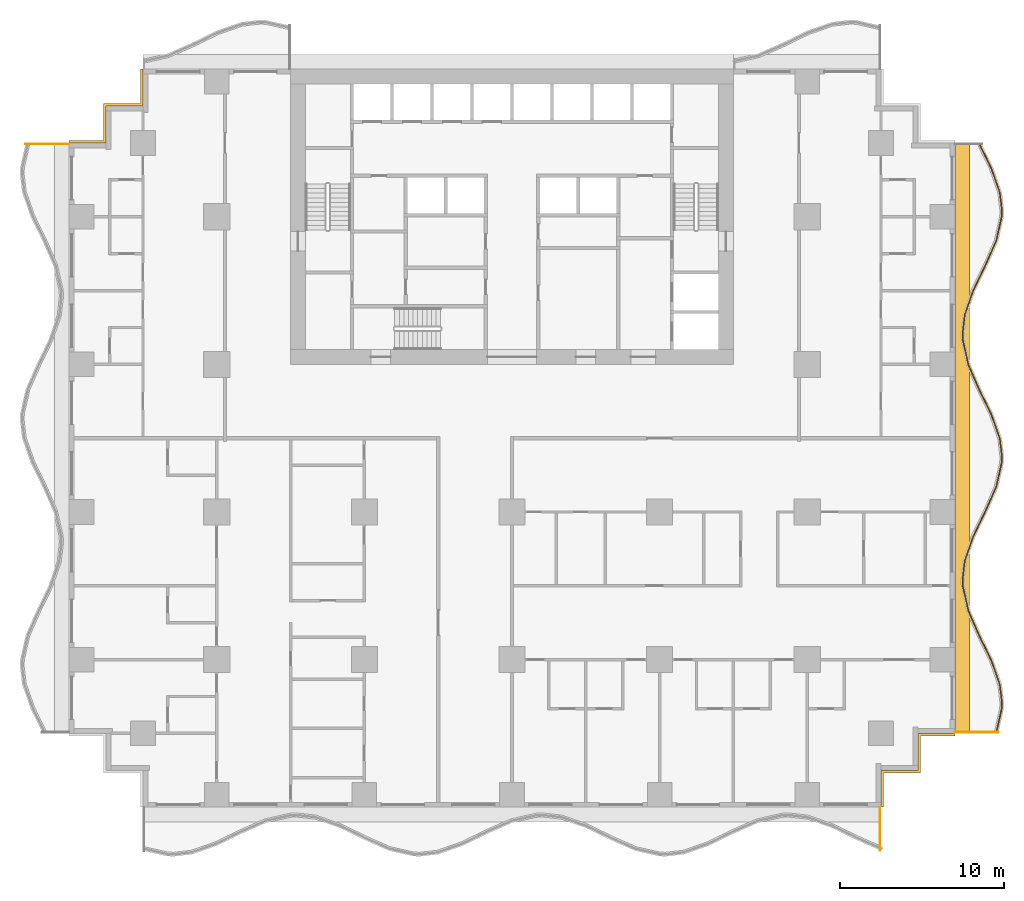
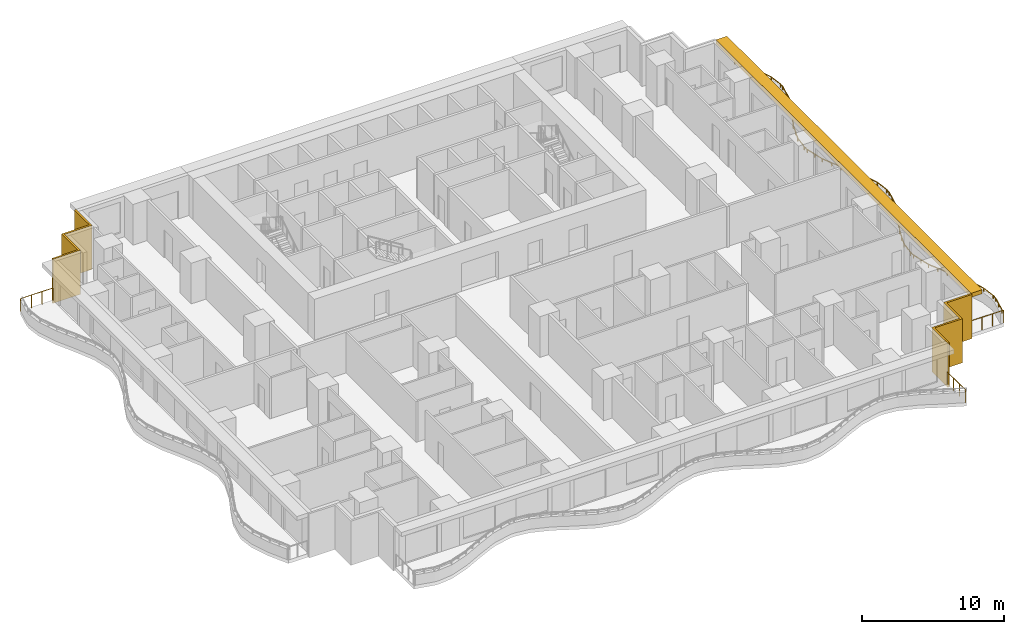
# One storey, part 11 of 14: 4 railings, 3 shading devices.
"""IFC4 building model written with IfcOpenShell, lengths in metres."""

from ifc_helpers import new_model, si_unit, direction, frame, origin, origin_2d, place, context, subcontext, project, spatial, polyline, rectangle, outline, extrude, material, layer, layer_set, type_object, element, save


model = new_model("IFC4")

# Units and contexts
model_context = context("Model", 3, precision=1e-05, world=origin(), true_north=direction((0.0, 1.0)))
body_context = subcontext(model_context, "Body", "Model", "MODEL_VIEW")
ifc_project = project(units=[si_unit("LENGTHUNIT", "METRE"), si_unit("AREAUNIT", "SQUARE_METRE"), si_unit("VOLUMEUNIT", "CUBIC_METRE"), si_unit("PLANEANGLEUNIT", "RADIAN"), si_unit("MASSUNIT", "GRAM", prefix="KILO")], contexts=[model_context])

# Site, building, storey
site_placement = place(None, origin())
site = spatial("IfcSite", under=ifc_project, at=site_placement, CompositionType="ELEMENT")
building_placement = place(site_placement, origin())
building = spatial("IfcBuilding", under=site, at=building_placement, Name="Orbiselva Terraces", CompositionType="ELEMENT")
storey_placement = place(building_placement, frame((0.0, 0.0, 18.8)))
storey = spatial("IfcBuildingStorey", under=building, at=storey_placement, Name="L04", CompositionType="ELEMENT", Elevation=18.8)

# Railings
ifc_material_1 = material(Name="Bonded two-ply safety glass balustrade, stainless steel posts", Category="steel")
railing_type_1 = type_object("IfcRailingType", Name="ENV-BALUSTRADE-1200", PredefinedType="BALUSTRADE", material=ifc_material_1)
railing_1_placement = place(storey_placement, frame((29.526563, -17.972623, 0.9)))
element("IfcRailing", 1, at=railing_1_placement, inside=storey, type_object=railing_type_1, Name="Balcony balustrade L04 E", PredefinedType="BALUSTRADE", context=body_context, shape_type="SweptSolid", body=[
    extrude(outline(polyline([(0.028868, 0.0), (0.014434, 0.025), (-0.014434, 0.025), (-0.028868, 0.0), (-0.014434, -0.025), (0.014434, -0.025), (0.028868, 0.0)])), frame((0.0, 0.0, 0.275), z_axis=(0.21901575501, 0.975721322437, 0.0), x_axis=(-0.975721322437, 0.21901575501, 0.0)), (0.0, 0.0, 1.0), 1.525954),
    extrude(outline(polyline([(0.028868, 0.0), (0.014434, 0.025), (-0.014434, 0.025), (-0.028868, 0.0), (-0.014434, -0.025), (0.014434, -0.025), (0.028868, 0.0)])), frame((0.334208, 1.488906, 0.275), z_axis=(0.039364150694, 0.999224931454, 0.0), x_axis=(-0.999224931454, 0.039364150694, 0.0)), (0.0, 0.0, 1.0), 0.354206),
    extrude(outline(polyline([(0.028868, 0.0), (0.014434, 0.025), (-0.014434, 0.025), (-0.028868, 0.0), (-0.014434, -0.025), (0.014434, -0.025), (0.028868, 0.0)])), frame((0.348151, 1.842837, 0.275), z_axis=(-0.115481264762, 0.993309658409, 0.0), x_axis=(-0.993309658409, -0.115481264762, 0.0)), (0.0, 0.0, 1.0), 1.10902),
    extrude(outline(polyline([(0.028868, 0.0), (0.014434, 0.025), (-0.014434, 0.025), (-0.028868, 0.0), (-0.014434, -0.025), (0.014434, -0.025), (0.028868, 0.0)])), frame((0.22008, 2.944437, 0.275), z_axis=(-0.330024754707, 0.943972277814, 0.0), x_axis=(-0.943972277814, -0.330024754707, 0.0)), (0.0, 0.0, 1.0), 1.567807),
    extrude(outline(polyline([(0.028868, 0.0), (0.014434, 0.025), (-0.014434, 0.025), (-0.028868, 0.0), (-0.014434, -0.025), (0.014434, -0.025), (0.028868, 0.0)])), frame((-0.297335, 4.424403, 0.275), z_axis=(-0.438811978768, 0.89857890432, 0.0), x_axis=(-0.89857890432, -0.438811978768, 0.0)), (0.0, 0.0, 1.0), 1.66438),
    extrude(outline(polyline([(0.028868, 0.0), (0.014434, 0.025), (-0.014434, 0.025), (-0.028868, 0.0), (-0.014434, -0.025), (0.014434, -0.025), (0.028868, 0.0)])), frame((-1.027685, 5.91998, 0.275), z_axis=(-0.403150874148, 0.915133527237, 0.0), x_axis=(-0.915133527237, -0.403150874148, 0.0)), (0.0, 0.0, 1.0), 1.653736),
    extrude(outline(polyline([(0.028868, 0.0), (0.014434, 0.025), (-0.014434, 0.025), (-0.028868, 0.0), (-0.014434, -0.025), (0.014434, -0.025), (0.028868, 0.0)])), frame((-1.69439, 7.433369, 0.275), z_axis=(-0.219015500924, 0.97572137947, 0.0), x_axis=(-0.97572137947, -0.219015500924, 0.0)), (0.0, 0.0, 1.0), 1.560867),
    extrude(outline(polyline([(0.028868, 0.0), (0.014434, 0.025), (-0.014434, 0.025), (-0.028868, 0.0), (-0.014434, -0.025), (0.014434, -0.025), (0.028868, 0.0)])), frame((-2.036244, 8.95634, 0.275), z_axis=(-0.03936915532, 0.999224734286, 0.0), x_axis=(-0.999224734286, -0.03936915532, 0.0)), (0.0, 0.0, 1.0), 0.396376),
    extrude(outline(polyline([(0.028868, 0.0), (0.014434, 0.025), (-0.014434, 0.025), (-0.028868, 0.0), (-0.014434, -0.025), (0.014434, -0.025), (0.028868, 0.0)])), frame((-2.051849, 9.352409, 0.275), z_axis=(0.115482182324, 0.993309551734, 0.0), x_axis=(-0.993309551734, 0.115482182324, 0.0)), (0.0, 0.0, 1.0), 1.156135),
    extrude(outline(polyline([(0.028868, 0.0), (0.014434, 0.025), (-0.014434, 0.025), (-0.028868, 0.0), (-0.014434, -0.025), (0.014434, -0.025), (0.028868, 0.0)])), frame((-1.918336, 10.500809, 0.275), z_axis=(0.330024597479, 0.943972332783, 0.0), x_axis=(-0.943972332783, 0.330024597479, 0.0)), (0.0, 0.0, 1.0), 1.610253),
    extrude(outline(polyline([(0.028868, 0.0), (0.014434, 0.025), (-0.014434, 0.025), (-0.028868, 0.0), (-0.014434, -0.025), (0.014434, -0.025), (0.028868, 0.0)])), frame((-1.386913, 12.020843, 0.275), z_axis=(0.438812048596, 0.898578870221, 0.0), x_axis=(-0.898578870221, 0.438812048596, 0.0)), (0.0, 0.0, 1.0), 1.674225),
    extrude(outline(polyline([(0.028868, 0.0), (0.014434, 0.025), (-0.014434, 0.025), (-0.028868, 0.0), (-0.014434, -0.025), (0.014434, -0.025), (0.028868, 0.0)])), frame((-0.652243, 13.525266, 0.275), z_axis=(0.403151245402, 0.915133363686, 0.0), x_axis=(-0.915133363686, 0.403151245402, 0.0)), (0.0, 0.0, 1.0), 1.624475),
    extrude(outline(polyline([(0.028868, 0.0), (0.014434, 0.025), (-0.014434, 0.025), (-0.028868, 0.0), (-0.014434, -0.025), (0.014434, -0.025), (0.028868, 0.0)])), frame((0.002666, 15.011877, 0.275), z_axis=(0.219015740235, 0.975721325753, 0.0), x_axis=(-0.975721325753, 0.219015740235, 0.0)), (0.0, 0.0, 1.0), 1.513782),
    extrude(outline(polyline([(0.028868, 0.0), (0.014434, 0.025), (-0.014434, 0.025), (-0.028868, 0.0), (-0.014434, -0.025), (0.014434, -0.025), (0.028868, 0.0)])), frame((0.334208, 16.488906, 0.275), z_axis=(0.039364150694, 0.999224931454, 0.0), x_axis=(-0.999224931454, 0.039364150694, 0.0)), (0.0, 0.0, 1.0), 0.354206),
    extrude(outline(polyline([(0.028868, 0.0), (0.014434, 0.025), (-0.014434, 0.025), (-0.028868, 0.0), (-0.014434, -0.025), (0.014434, -0.025), (0.028868, 0.0)])), frame((0.348151, 16.842837, 0.275), z_axis=(-0.115481264762, 0.993309658409, 0.0), x_axis=(-0.993309658409, -0.115481264762, 0.0)), (0.0, 0.0, 1.0), 1.10902),
    extrude(outline(polyline([(0.028868, 0.0), (0.014434, 0.025), (-0.014434, 0.025), (-0.028868, 0.0), (-0.014434, -0.025), (0.014434, -0.025), (0.028868, 0.0)])), frame((0.22008, 17.944437, 0.275), z_axis=(-0.330024754707, 0.943972277814, 0.0), x_axis=(-0.943972277814, -0.330024754707, 0.0)), (0.0, 0.0, 1.0), 1.567807),
    extrude(outline(polyline([(0.028868, 0.0), (0.014434, 0.025), (-0.014434, 0.025), (-0.028868, 0.0), (-0.014434, -0.025), (0.014434, -0.025), (0.028868, 0.0)])), frame((-0.297335, 19.424403, 0.275), z_axis=(-0.438811978768, 0.89857890432, 0.0), x_axis=(-0.89857890432, -0.438811978768, 0.0)), (0.0, 0.0, 1.0), 1.66438),
    extrude(outline(polyline([(0.028868, 0.0), (0.014434, 0.025), (-0.014434, 0.025), (-0.028868, 0.0), (-0.014434, -0.025), (0.014434, -0.025), (0.028868, 0.0)])), frame((-1.027685, 20.91998, 0.275), z_axis=(-0.403150874148, 0.915133527237, 0.0), x_axis=(-0.915133527237, -0.403150874148, 0.0)), (0.0, 0.0, 1.0), 1.653736),
    extrude(outline(polyline([(0.028868, 0.0), (0.014434, 0.025), (-0.014434, 0.025), (-0.028868, 0.0), (-0.014434, -0.025), (0.014434, -0.025), (0.028868, 0.0)])), frame((-1.69439, 22.433369, 0.275), z_axis=(-0.219015500924, 0.97572137947, 0.0), x_axis=(-0.97572137947, -0.219015500924, 0.0)), (0.0, 0.0, 1.0), 1.560867),
    extrude(outline(polyline([(0.028868, 0.0), (0.014434, 0.025), (-0.014434, 0.025), (-0.028868, 0.0), (-0.014434, -0.025), (0.014434, -0.025), (0.028868, 0.0)])), frame((-2.036244, 23.95634, 0.275), z_axis=(-0.03936915532, 0.999224734286, 0.0), x_axis=(-0.999224734286, -0.03936915532, 0.0)), (0.0, 0.0, 1.0), 0.396376),
    extrude(outline(polyline([(0.028868, 0.0), (0.014434, 0.025), (-0.014434, 0.025), (-0.028868, 0.0), (-0.014434, -0.025), (0.014434, -0.025), (0.028868, 0.0)])), frame((-2.051849, 24.352409, 0.275), z_axis=(0.115482182324, 0.993309551734, 0.0), x_axis=(-0.993309551734, 0.115482182324, 0.0)), (0.0, 0.0, 1.0), 1.156135),
    extrude(outline(polyline([(0.028868, 0.0), (0.014434, 0.025), (-0.014434, 0.025), (-0.028868, 0.0), (-0.014434, -0.025), (0.014434, -0.025), (0.028868, 0.0)])), frame((-1.918336, 25.500809, 0.275), z_axis=(0.330024597479, 0.943972332783, 0.0), x_axis=(-0.943972332783, 0.330024597479, 0.0)), (0.0, 0.0, 1.0), 1.610253),
    extrude(outline(polyline([(0.028868, 0.0), (0.014434, 0.025), (-0.014434, 0.025), (-0.028868, 0.0), (-0.014434, -0.025), (0.014434, -0.025), (0.028868, 0.0)])), frame((-1.386913, 27.020843, 0.275), z_axis=(0.438812048596, 0.898578870221, 0.0), x_axis=(-0.898578870221, 0.438812048596, 0.0)), (0.0, 0.0, 1.0), 1.674225),
    extrude(outline(polyline([(0.028868, 0.0), (0.014434, 0.025), (-0.014434, 0.025), (-0.028868, 0.0), (-0.014434, -0.025), (0.014434, -0.025), (0.028868, 0.0)])), frame((-0.652243, 28.525266, 0.275), z_axis=(0.403151245402, 0.915133363686, 0.0), x_axis=(-0.915133363686, 0.403151245402, 0.0)), (0.0, 0.0, 1.0), 1.624475),
    extrude(outline(polyline([(0.028868, 0.0), (0.014434, 0.025), (-0.014434, 0.025), (-0.028868, 0.0), (-0.014434, -0.025), (0.014434, -0.025), (0.028868, 0.0)])), frame((0.002666, 30.011877, 0.275), z_axis=(0.219015740235, 0.975721325753, 0.0), x_axis=(-0.975721325753, 0.219015740235, 0.0)), (0.0, 0.0, 1.0), 1.513782),
    extrude(outline(polyline([(0.028868, 0.0), (0.014434, 0.025), (-0.014434, 0.025), (-0.028868, 0.0), (-0.014434, -0.025), (0.014434, -0.025), (0.028868, 0.0)])), frame((0.334208, 31.488906, 0.275), z_axis=(0.039364150694, 0.999224931454, 0.0), x_axis=(-0.999224931454, 0.039364150694, 0.0)), (0.0, 0.0, 1.0), 0.354206),
    extrude(outline(polyline([(0.028868, 0.0), (0.014434, 0.025), (-0.014434, 0.025), (-0.028868, 0.0), (-0.014434, -0.025), (0.014434, -0.025), (0.028868, 0.0)])), frame((0.348151, 31.842837, 0.275), z_axis=(-0.115481264762, 0.993309658409, 0.0), x_axis=(-0.993309658409, -0.115481264762, 0.0)), (0.0, 0.0, 1.0), 1.10902),
    extrude(outline(polyline([(0.028868, 0.0), (0.014434, 0.025), (-0.014434, 0.025), (-0.028868, 0.0), (-0.014434, -0.025), (0.014434, -0.025), (0.028868, 0.0)])), frame((0.22008, 32.944437, 0.275), z_axis=(-0.330024754707, 0.943972277814, 0.0), x_axis=(-0.943972277814, -0.330024754707, 0.0)), (0.0, 0.0, 1.0), 1.567807),
    extrude(outline(polyline([(0.028868, 0.0), (0.014434, 0.025), (-0.014434, 0.025), (-0.028868, 0.0), (-0.014434, -0.025), (0.014434, -0.025), (0.028868, 0.0)])), frame((-0.297335, 34.424403, 0.275), z_axis=(-0.438811853882, 0.898578965307, 0.0), x_axis=(-0.898578965307, -0.438811853882, 0.0)), (0.0, 0.0, 1.0), 1.661922),
    extrude(rectangle(XDim=0.05, YDim=0.05, at=origin_2d()), origin(), (0.0, 0.0, 1.0), 0.25),
    extrude(rectangle(XDim=0.05, YDim=0.05, at=origin_2d()), frame((0.167104, 0.744453, 0.0)), (0.0, 0.0, 1.0), 0.25),
    extrude(rectangle(XDim=0.05, YDim=0.05, at=origin_2d()), frame((0.334208, 1.488906, 0.0)), (0.0, 0.0, 1.0), 0.25),
    extrude(rectangle(XDim=0.05, YDim=0.05, at=origin_2d()), frame((0.348151, 1.842837, 0.0)), (0.0, 0.0, 1.0), 0.25),
    extrude(rectangle(XDim=0.05, YDim=0.05, at=origin_2d()), frame((0.22008, 2.944437, 0.0)), (0.0, 0.0, 1.0), 0.25),
    extrude(rectangle(XDim=0.05, YDim=0.05, at=origin_2d()), frame((-0.038628, 3.68442, 0.0)), (0.0, 0.0, 1.0), 0.25),
    extrude(rectangle(XDim=0.05, YDim=0.05, at=origin_2d()), frame((-0.297335, 4.424403, 0.0)), (0.0, 0.0, 1.0), 0.25),
    extrude(rectangle(XDim=0.05, YDim=0.05, at=origin_2d()), frame((-0.66251, 5.172191, 0.0)), (0.0, 0.0, 1.0), 0.25),
    extrude(rectangle(XDim=0.05, YDim=0.05, at=origin_2d()), frame((-1.027685, 5.91998, 0.0)), (0.0, 0.0, 1.0), 0.25),
    extrude(rectangle(XDim=0.05, YDim=0.05, at=origin_2d()), frame((-1.361037, 6.676674, 0.0)), (0.0, 0.0, 1.0), 0.25),
    extrude(rectangle(XDim=0.05, YDim=0.05, at=origin_2d()), frame((-1.69439, 7.433369, 0.0)), (0.0, 0.0, 1.0), 0.25),
    extrude(rectangle(XDim=0.05, YDim=0.05, at=origin_2d()), frame((-1.865317, 8.194854, 0.0)), (0.0, 0.0, 1.0), 0.25),
    extrude(rectangle(XDim=0.05, YDim=0.05, at=origin_2d()), frame((-2.036244, 8.95634, 0.0)), (0.0, 0.0, 1.0), 0.25),
    extrude(rectangle(XDim=0.05, YDim=0.05, at=origin_2d()), frame((-2.051849, 9.352409, 0.0)), (0.0, 0.0, 1.0), 0.25),
    extrude(rectangle(XDim=0.05, YDim=0.05, at=origin_2d()), frame((-1.918336, 10.500809, 0.0)), (0.0, 0.0, 1.0), 0.25),
    extrude(rectangle(XDim=0.05, YDim=0.05, at=origin_2d()), frame((-1.652624, 11.260826, 0.0)), (0.0, 0.0, 1.0), 0.25),
    extrude(rectangle(XDim=0.05, YDim=0.05, at=origin_2d()), frame((-1.386913, 12.020843, 0.0)), (0.0, 0.0, 1.0), 0.25),
    extrude(rectangle(XDim=0.05, YDim=0.05, at=origin_2d()), frame((-1.019578, 12.773054, 0.0)), (0.0, 0.0, 1.0), 0.25),
    extrude(rectangle(XDim=0.05, YDim=0.05, at=origin_2d()), frame((-0.652243, 13.525266, 0.0)), (0.0, 0.0, 1.0), 0.25),
    extrude(rectangle(XDim=0.05, YDim=0.05, at=origin_2d()), frame((-0.324788, 14.268571, 0.0)), (0.0, 0.0, 1.0), 0.25),
    extrude(rectangle(XDim=0.05, YDim=0.05, at=origin_2d()), frame((0.002666, 15.011877, 0.0)), (0.0, 0.0, 1.0), 0.25),
    extrude(rectangle(XDim=0.05, YDim=0.05, at=origin_2d()), frame((0.168437, 15.750392, 0.0)), (0.0, 0.0, 1.0), 0.25),
    extrude(rectangle(XDim=0.05, YDim=0.05, at=origin_2d()), frame((0.334208, 16.488906, 0.0)), (0.0, 0.0, 1.0), 0.25),
    extrude(rectangle(XDim=0.05, YDim=0.05, at=origin_2d()), frame((0.348151, 16.842837, 0.0)), (0.0, 0.0, 1.0), 0.25),
    extrude(rectangle(XDim=0.05, YDim=0.05, at=origin_2d()), frame((0.22008, 17.944437, 0.0)), (0.0, 0.0, 1.0), 0.25),
    extrude(rectangle(XDim=0.05, YDim=0.05, at=origin_2d()), frame((-0.038628, 18.68442, 0.0)), (0.0, 0.0, 1.0), 0.25),
    extrude(rectangle(XDim=0.05, YDim=0.05, at=origin_2d()), frame((-0.297335, 19.424403, 0.0)), (0.0, 0.0, 1.0), 0.25),
    extrude(rectangle(XDim=0.05, YDim=0.05, at=origin_2d()), frame((-0.66251, 20.172191, 0.0)), (0.0, 0.0, 1.0), 0.25),
    extrude(rectangle(XDim=0.05, YDim=0.05, at=origin_2d()), frame((-1.027685, 20.91998, 0.0)), (0.0, 0.0, 1.0), 0.25),
    extrude(rectangle(XDim=0.05, YDim=0.05, at=origin_2d()), frame((-1.361037, 21.676674, 0.0)), (0.0, 0.0, 1.0), 0.25),
    extrude(rectangle(XDim=0.05, YDim=0.05, at=origin_2d()), frame((-1.69439, 22.433369, 0.0)), (0.0, 0.0, 1.0), 0.25),
    extrude(rectangle(XDim=0.05, YDim=0.05, at=origin_2d()), frame((-1.865317, 23.194854, 0.0)), (0.0, 0.0, 1.0), 0.25),
    extrude(rectangle(XDim=0.05, YDim=0.05, at=origin_2d()), frame((-2.036244, 23.95634, 0.0)), (0.0, 0.0, 1.0), 0.25),
    extrude(rectangle(XDim=0.05, YDim=0.05, at=origin_2d()), frame((-2.051849, 24.352409, 0.0)), (0.0, 0.0, 1.0), 0.25),
    extrude(rectangle(XDim=0.05, YDim=0.05, at=origin_2d()), frame((-1.918336, 25.500809, 0.0)), (0.0, 0.0, 1.0), 0.25),
    extrude(rectangle(XDim=0.05, YDim=0.05, at=origin_2d()), frame((-1.652624, 26.260826, 0.0)), (0.0, 0.0, 1.0), 0.25),
    extrude(rectangle(XDim=0.05, YDim=0.05, at=origin_2d()), frame((-1.386913, 27.020843, 0.0)), (0.0, 0.0, 1.0), 0.25),
    extrude(rectangle(XDim=0.05, YDim=0.05, at=origin_2d()), frame((-1.019578, 27.773054, 0.0)), (0.0, 0.0, 1.0), 0.25),
    extrude(rectangle(XDim=0.05, YDim=0.05, at=origin_2d()), frame((-0.652243, 28.525266, 0.0)), (0.0, 0.0, 1.0), 0.25),
    extrude(rectangle(XDim=0.05, YDim=0.05, at=origin_2d()), frame((-0.324788, 29.268572, 0.0)), (0.0, 0.0, 1.0), 0.25),
    extrude(rectangle(XDim=0.05, YDim=0.05, at=origin_2d()), frame((0.002666, 30.011877, 0.0)), (0.0, 0.0, 1.0), 0.25),
    extrude(rectangle(XDim=0.05, YDim=0.05, at=origin_2d()), frame((0.168437, 30.750392, 0.0)), (0.0, 0.0, 1.0), 0.25),
    extrude(rectangle(XDim=0.05, YDim=0.05, at=origin_2d()), frame((0.334208, 31.488906, 0.0)), (0.0, 0.0, 1.0), 0.25),
    extrude(rectangle(XDim=0.05, YDim=0.05, at=origin_2d()), frame((0.348151, 31.842837, 0.0)), (0.0, 0.0, 1.0), 0.25),
    extrude(rectangle(XDim=0.05, YDim=0.05, at=origin_2d()), frame((0.22008, 32.944437, 0.0)), (0.0, 0.0, 1.0), 0.25),
    extrude(rectangle(XDim=0.05, YDim=0.05, at=origin_2d()), frame((-0.038628, 33.68442, 0.0)), (0.0, 0.0, 1.0), 0.25),
    extrude(rectangle(XDim=0.05, YDim=0.05, at=origin_2d()), frame((-0.297335, 34.424403, 0.0)), (0.0, 0.0, 1.0), 0.25),
    extrude(rectangle(XDim=0.05, YDim=0.05, at=origin_2d()), frame((-0.661971, 35.171087, 0.0)), (0.0, 0.0, 1.0), 0.25),
    extrude(rectangle(XDim=0.05, YDim=0.05, at=origin_2d()), frame((-1.026606, 35.917771, 0.0)), (0.0, 0.0, 1.0), 0.25),
])
ifc_material_2 = material(Name="Stainless steel rail and posts", Category="steel")
railing_type_2 = type_object("IfcRailingType", Name="ENV-GUARD-1105", PredefinedType="BALUSTRADE", material=ifc_material_2)
railing_2_placement = place(storey_placement, frame((22.44, -25.126937, 0.0)))
element("IfcRailing", 2, at=railing_2_placement, inside=storey, type_object=railing_type_2, Name="Balcony end guard L04 S", PredefinedType="BALUSTRADE", context=body_context, shape_type="SweptSolid", body=[
    extrude(outline(polyline([(0.028868, 0.0), (0.014434, 0.025), (-0.014434, 0.025), (-0.028868, 0.0), (-0.014434, -0.025), (0.014434, -0.025), (0.028868, 0.0)])), frame((0.0, 0.0, 1.08), z_axis=(0.0, 1.0, 0.0), x_axis=(-1.0, 0.0, 0.0)), (0.0, 0.0, 1.0), 2.601937),
    extrude(rectangle(XDim=0.05, YDim=0.05, at=origin_2d()), origin(), (0.0, 0.0, 1.0), 1.055),
    extrude(rectangle(XDim=0.05, YDim=0.05, at=origin_2d()), frame((0.0, 0.867312, 0.0)), (0.0, 0.0, 1.0), 1.055),
    extrude(rectangle(XDim=0.05, YDim=0.05, at=origin_2d()), frame((0.0, 1.734625, 0.0)), (0.0, 0.0, 1.0), 1.055),
    extrude(rectangle(XDim=0.05, YDim=0.05, at=origin_2d()), frame((0.0, 2.601937, 0.0)), (0.0, 0.0, 1.0), 1.055),
])
railing_3_placement = place(storey_placement, frame((29.669584, -17.94, 0.0)))
element("IfcRailing", 3, at=railing_3_placement, inside=storey, type_object=railing_type_2, Name="Balcony end guard L04 E", PredefinedType="BALUSTRADE", context=body_context, shape_type="SweptSolid", body=[
    extrude(outline(polyline([(0.028868, 0.0), (0.014434, 0.025), (-0.014434, 0.025), (-0.028868, 0.0), (-0.014434, -0.025), (0.014434, -0.025), (0.028868, 0.0)])), frame((0.0, 0.0, 1.08), z_axis=(-1.0, 0.0, 0.0), x_axis=(0.0, -1.0, 0.0)), (0.0, 0.0, 1.0), 2.644584),
    extrude(rectangle(XDim=0.05, YDim=0.05, at=origin_2d()), origin(), (0.0, 0.0, 1.0), 1.055),
    extrude(rectangle(XDim=0.05, YDim=0.05, at=origin_2d()), frame((-0.881528, 0.0, 0.0)), (0.0, 0.0, 1.0), 1.055),
    extrude(rectangle(XDim=0.05, YDim=0.05, at=origin_2d()), frame((-1.763056, 0.0, 0.0)), (0.0, 0.0, 1.0), 1.055),
    extrude(rectangle(XDim=0.05, YDim=0.05, at=origin_2d()), frame((-2.644584, 0.0, 0.0)), (0.0, 0.0, 1.0), 1.055),
])
railing_4_placement = place(storey_placement, frame((-29.669584, 17.94, 0.0)))
element("IfcRailing", 4, at=railing_4_placement, inside=storey, type_object=railing_type_2, Name="Balcony end guard L04 W", PredefinedType="BALUSTRADE", context=body_context, shape_type="SweptSolid", body=[
    extrude(outline(polyline([(0.028868, 0.0), (0.014434, 0.025), (-0.014434, 0.025), (-0.028868, 0.0), (-0.014434, -0.025), (0.014434, -0.025), (0.028868, 0.0)])), frame((0.0, 0.0, 1.08), z_axis=(1.0, 0.0, 0.0), x_axis=(0.0, 1.0, 0.0)), (0.0, 0.0, 1.0), 2.644584),
    extrude(rectangle(XDim=0.05, YDim=0.05, at=origin_2d()), origin(), (0.0, 0.0, 1.0), 1.055),
    extrude(rectangle(XDim=0.05, YDim=0.05, at=origin_2d()), frame((0.881528, 0.0, 0.0)), (0.0, 0.0, 1.0), 1.055),
    extrude(rectangle(XDim=0.05, YDim=0.05, at=origin_2d()), frame((1.763056, 0.0, 0.0)), (0.0, 0.0, 1.0), 1.055),
    extrude(rectangle(XDim=0.05, YDim=0.05, at=origin_2d()), frame((2.644584, 0.0, 0.0)), (0.0, 0.0, 1.0), 1.055),
])

# Shading devices
ifc_material_3 = material(Name="Terracotta louvre screen", Category="masonry")
ifc_layer_1 = layer(ifc_material_3, 0.15)
ifc_layer_set_1 = layer_set([ifc_layer_1], Name="Terracotta louvre screen")
shading_device_type_1 = type_object("IfcShadingDeviceType", Name="ENV-SCREEN-150", PredefinedType="USERDEFINED", material=ifc_layer_set_1)
shading_device_1_placement = place(storey_placement, frame((0.0, 0.0, -0.3)))
element("IfcShadingDevice", 5, at=shading_device_1_placement, inside=storey, type_object=shading_device_type_1, Name="Louvre screen L04 NW", ObjectType="SCREEN", PredefinedType="USERDEFINED", context=body_context, shape_type="SweptSolid", body=[
    extrude(outline(polyline([(-22.65, 22.5), (-22.65, 20.4), (-24.9, 20.4), (-24.9, 18.15), (-27.0, 18.15), (-27.0, 18.0), (-24.75, 18.0), (-24.75, 20.25), (-22.5, 20.25), (-22.5, 22.5), (-22.65, 22.5)])), origin(), (0.0, 0.0, 1.0), 3.8),
])
shading_device_2_placement = place(storey_placement, frame((0.0, 0.0, -0.3)))
element("IfcShadingDevice", 6, at=shading_device_2_placement, inside=storey, type_object=shading_device_type_1, Name="Louvre screen L04 SE", ObjectType="SCREEN", PredefinedType="USERDEFINED", context=body_context, shape_type="SweptSolid", body=[
    extrude(outline(polyline([(22.65, -22.5), (22.65, -20.4), (24.9, -20.4), (24.9, -18.15), (27.0, -18.15), (27.0, -18.0), (24.75, -18.0), (24.75, -20.25), (22.5, -20.25), (22.5, -22.5), (22.65, -22.5)])), origin(), (0.0, 0.0, 1.0), 3.8),
])
ifc_material_4 = material(Name="Terracotta baguette sunshade", Category="masonry")
ifc_layer_2 = layer(ifc_material_4, 0.35)
ifc_layer_set_2 = layer_set([ifc_layer_2], Name="Terracotta baguette sunshade")
shading_device_type_2 = type_object("IfcShadingDeviceType", Name="ENV-SUNSHADE-900x350", PredefinedType="USERDEFINED", material=ifc_layer_set_2)
shading_device_3_placement = place(storey_placement, frame((0.0, 0.0, 3.15)))
element("IfcShadingDevice", 7, at=shading_device_3_placement, inside=storey, type_object=shading_device_type_2, Name="Sunshade band L04 E", ObjectType="SUNSHADE", PredefinedType="USERDEFINED", context=body_context, shape_type="SweptSolid", body=[
    extrude(outline(polyline([(27.9, -18.0), (27.9, 18.0), (27.0, 18.0), (27.0, -18.0), (27.9, -18.0)])), origin(), (0.0, 0.0, 1.0), 0.35),
])

save(model, "model.ifc")
